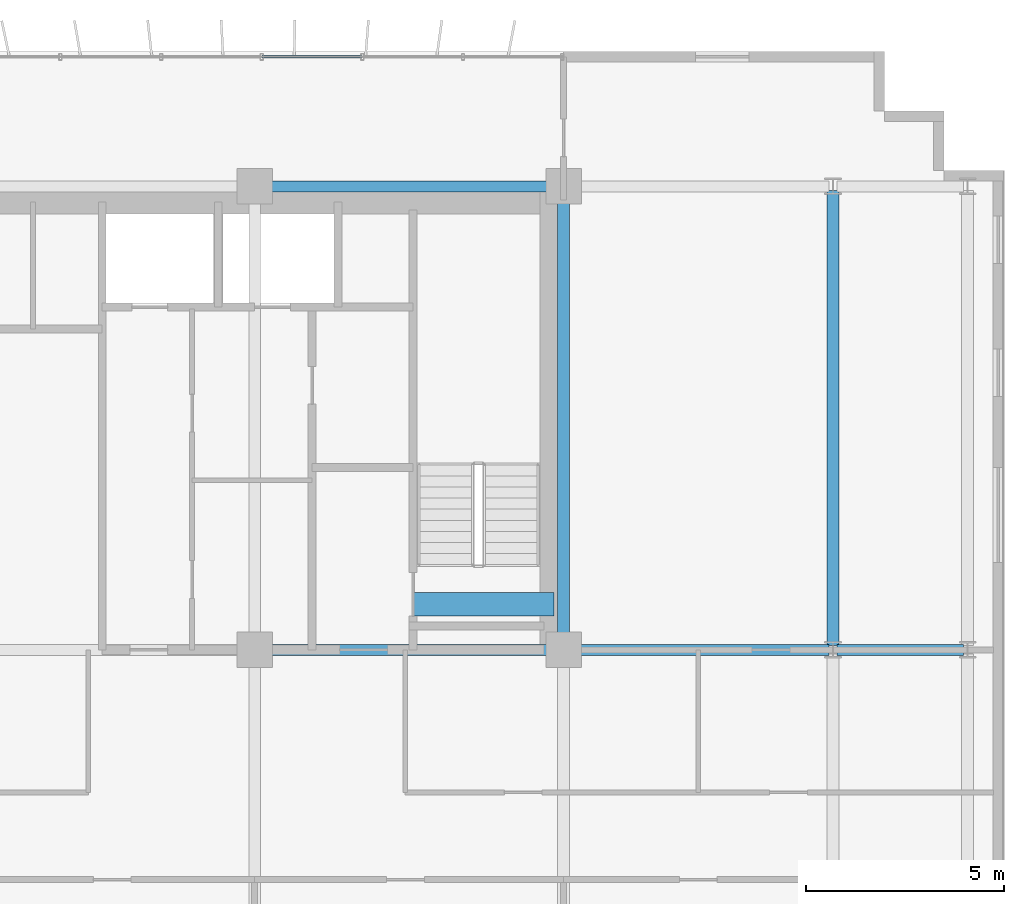
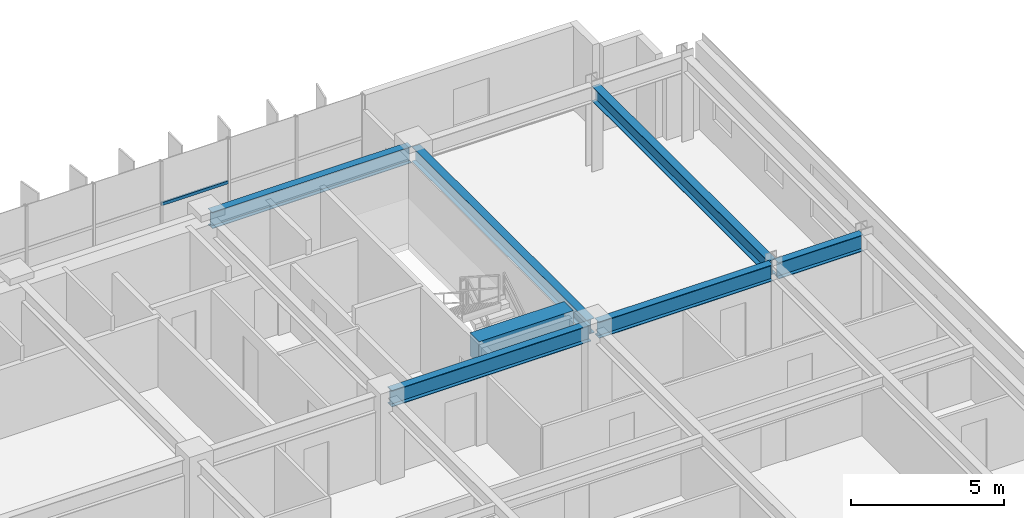
# One storey, part 11 of 21: 7 beams, 1 member, 1 element without a shape of its own.
"""IFC4 building model written with IfcOpenShell, lengths in metres."""

from ifc_helpers import new_model, si_unit, direction, frame, origin, origin_2d, place, context, subcontext, project, spatial, rectangle, hollow_rectangle, i_section, extrude, source, transform, mapped, material, material_profile, profile_set, type_object, element, aggregate, save


model = new_model("IFC4")

# Units and contexts
model_context = context("Model", 3, precision=1e-05, world=origin(), true_north=direction((0.0, 1.0)))
body_context = subcontext(model_context, "Body", "Model", "MODEL_VIEW")
ifc_project = project(units=[si_unit("LENGTHUNIT", "METRE"), si_unit("AREAUNIT", "SQUARE_METRE"), si_unit("VOLUMEUNIT", "CUBIC_METRE"), si_unit("PLANEANGLEUNIT", "RADIAN"), si_unit("MASSUNIT", "GRAM", prefix="KILO")], contexts=[model_context])

# Site, building, storey
site_placement = place(None, origin())
site = spatial("IfcSite", under=ifc_project, at=site_placement, CompositionType="ELEMENT")
building_placement = place(site_placement, origin())
building = spatial("IfcBuilding", under=site, at=building_placement, Name="Trelvane Seafront Commons", CompositionType="ELEMENT")
storey_placement = place(building_placement, frame((0.0, 0.0, 37.89990234375)))
storey = spatial("IfcBuildingStorey", under=building, at=storey_placement, Name="L09", CompositionType="ELEMENT", Elevation=37.89990234375)

# Beams
ifc_material_1 = material(Name="Concrete C60/75", Category="concrete")
ifc_material_profile_1 = material_profile(ifc_material_1, rectangle(XDim=0.60009765625, YDim=0.89990234375, at=origin_2d()), Name="RC-600x900")
ifc_profile_set_1 = profile_set([ifc_material_profile_1], Name="Concrete C60/75")
beam_type_1 = type_object("IfcBeamType", Name="STR-LNT-RC600x900", PredefinedType="LINTEL", material=ifc_profile_set_1)
shared_shape_1 = source(origin(), body_context, "Body", "SweptSolid", [
    extrude(rectangle(XDim=0.60009765625, YDim=0.89990234375, at=origin_2d()), origin(), (0.0, 0.0, 1.0), 3.550048828125),
])
beam_1_placement = place(storey_placement, frame((55.0, 34.550048828125, 2.89013671875), z_axis=(1.0, 0.0, 0.0), x_axis=(0.0, 1.0, 0.0)))
element("IfcBeam", 1, at=beam_1_placement, inside=storey, type_object=beam_type_1, Name="L09 Core Coupling Lintel Beam CB-86", PredefinedType="LINTEL", context=body_context, shape_type="MappedRepresentation", body=[
    mapped(shared_shape_1, transform((0.0, 0.0, 0.0), x_axis=(1.0, 0.0, 0.0), y_axis=(0.0, 1.0, 0.0), z_axis=(0.0, 0.0, 1.0), scale=1.0)),
])
ifc_material_2 = material(Name="Steel SM355 (S355)", Category="steel")
ifc_material_profile_2 = material_profile(ifc_material_2, i_section(OverallWidth=0.280029296875, OverallDepth=0.64990234375, WebThickness=0.012939453125, FlangeThickness=0.02197265625, at=origin_2d()), Name="H-650x280x13x22")
ifc_profile_set_2 = profile_set([ifc_material_profile_2], Name="Steel SM355 (S355)")
beam_type_2 = type_object("IfcBeamType", Name="STR-BM-H650", PredefinedType="BEAM", material=ifc_profile_set_2)
shared_shape_2 = source(origin(), body_context, "Body", "SweptSolid", [
    extrude(i_section(OverallWidth=0.280029296875, OverallDepth=0.64990234375, WebThickness=0.012939453125, FlangeThickness=0.02197265625, at=origin_2d()), origin(), (0.0, 0.0, 1.0), 3.18994140625),
])
beam_2_placement = place(storey_placement, frame((65.705078125, 33.39990234375, 3.01513671875), z_axis=(1.0, 0.0, 0.0), x_axis=(0.0, 1.0, 0.0)))
element("IfcBeam", 2, at=beam_2_placement, inside=storey, type_object=beam_type_2, Name="L09 Primary Girder G-27", PredefinedType="BEAM", context=body_context, shape_type="MappedRepresentation", body=[
    mapped(shared_shape_2, transform((0.0, 0.0, 0.0), x_axis=(1.0, 0.0, 0.0), y_axis=(0.0, 1.0, 0.0), z_axis=(0.0, 0.0, 1.0), scale=1.0)),
])
shared_shape_3 = source(origin(), body_context, "Body", "SweptSolid", [
    extrude(i_section(OverallWidth=0.280029296875, OverallDepth=0.64990234375, WebThickness=0.012939453125, FlangeThickness=0.02197265625, at=origin_2d()), origin(), (0.0, 0.0, 1.0), 6.545166015625),
])
beam_3_placement = place(storey_placement, frame((58.949951171875, 33.39990234375, 3.01513671875), z_axis=(1.0, 0.0, 0.0), x_axis=(0.0, 1.0, 0.0)))
element("IfcBeam", 3, at=beam_3_placement, inside=storey, type_object=beam_type_2, Name="L09 Primary Girder G-26", PredefinedType="BEAM", context=body_context, shape_type="MappedRepresentation", body=[
    mapped(shared_shape_3, transform((0.0, 0.0, 0.0), x_axis=(1.0, 0.0, 0.0), y_axis=(0.0, 1.0, 0.0), z_axis=(0.0, 0.0, 1.0), scale=1.0)),
])
shared_shape_4 = source(origin(), body_context, "Body", "SweptSolid", [
    extrude(i_section(OverallWidth=0.280029296875, OverallDepth=0.64990234375, WebThickness=0.012939453125, FlangeThickness=0.02197265625, at=origin_2d()), origin(), (0.0, 0.0, 1.0), 7.5),
])
for number, where, z_axis, x_axis, name in (
    (4, (51.14990234375, 33.39990234375, 3.01513671875), (1.0, 0.0, 0.0), (0.0, 1.0, 0.0), "L09 Primary Girder G-25"),
    (5, (51.14990234375, 45.10009765625, 3.01513671875), (1.0, 0.0, 0.0), (0.0, 1.0, 0.0), "L09 Primary Girder G-34"),
):
    element("IfcBeam", number, at=place(storey_placement, frame(where, z_axis=z_axis, x_axis=x_axis)), inside=storey, type_object=beam_type_2, Name=name, PredefinedType="BEAM", context=body_context, shape_type="MappedRepresentation", body=[
        mapped(shared_shape_4, transform((0.0, 0.0, 0.0), x_axis=(1.0, 0.0, 0.0), y_axis=(0.0, 1.0, 0.0), z_axis=(0.0, 0.0, 1.0), scale=1.0)),
    ])
ifc_material_profile_3 = material_profile(ifc_material_2, i_section(OverallWidth=0.300048828125, OverallDepth=0.587890625, WebThickness=0.011962890625, FlangeThickness=0.02001953125, at=origin_2d()), Name="H-588x300x12x20")
ifc_profile_set_3 = profile_set([ifc_material_profile_3], Name="Steel SM355 (S355)")
beam_type_3 = type_object("IfcBeamType", Name="STR-BM-H588", PredefinedType="BEAM", material=ifc_profile_set_3)
shared_shape_5 = source(origin(), body_context, "Body", "SweptSolid", [
    extrude(i_section(OverallWidth=0.300048828125, OverallDepth=0.587890625, WebThickness=0.011962890625, FlangeThickness=0.02001953125, at=origin_2d()), origin(), (0.0, 0.0, 1.0), 11.490234375),
])
beam_4_placement = place(storey_placement, frame((65.60009765625, 33.5048828125, 3.046142578125), z_axis=(0.0, 1.0, 0.0), x_axis=(-1.0, 0.0, 0.0)))
element("IfcBeam", 6, at=beam_4_placement, inside=storey, type_object=beam_type_3, Name="L09 Primary Girder G-63", PredefinedType="BEAM", context=body_context, shape_type="MappedRepresentation", body=[
    mapped(shared_shape_5, transform((0.0, 0.0, 0.0), x_axis=(1.0, 0.0, 0.0), y_axis=(0.0, 1.0, 0.0), z_axis=(0.0, 0.0, 1.0), scale=1.0)),
])
shared_shape_6 = source(origin(), body_context, "Body", "SweptSolid", [
    extrude(i_section(OverallWidth=0.300048828125, OverallDepth=0.587890625, WebThickness=0.011962890625, FlangeThickness=0.02001953125, at=origin_2d()), origin(), (0.0, 0.0, 1.0), 11.39990234375),
])
beam_5_placement = place(storey_placement, frame((58.800048828125, 33.550048828125, 3.046142578125), z_axis=(0.0, 1.0, 0.0), x_axis=(-1.0, 0.0, 0.0)))
element("IfcBeam", 7, at=beam_5_placement, inside=storey, type_object=beam_type_3, Name="L09 Primary Girder G-60", PredefinedType="BEAM", context=body_context, shape_type="MappedRepresentation", body=[
    mapped(shared_shape_6, transform((0.0, 0.0, 0.0), x_axis=(1.0, 0.0, 0.0), y_axis=(0.0, 1.0, 0.0), z_axis=(0.0, 0.0, 1.0), scale=1.0)),
])

# Curtain wall, member
ifc_material_3 = material(Name="Anodised pale-silver aluminium", Category="aluminium")
curtain_wall_type = type_object("IfcCurtainWallType", Name="ARCH-CW2-LOWTOWER", PredefinedType="NOTDEFINED", material=ifc_material_3)
curtain_wall_placement = place(storey_placement, origin())
curtain_wall = element("IfcCurtainWall", 8, at=curtain_wall_placement, inside=storey, type_object=curtain_wall_type, Name="CW-L09-0033", PredefinedType="NOTDEFINED")
ifc_material_profile_4 = material_profile(ifc_material_3, hollow_rectangle(XDim=0.070068359375, YDim=0.1201171875, WallThickness=0.00390625, at=origin_2d()), Name="TRAN-70x120x4")
ifc_profile_set_4 = profile_set([ifc_material_profile_4], Name="Anodised pale-silver aluminium")
member_type = type_object("IfcMemberType", Name="ARCH-CW-TRAN-120", PredefinedType="USERDEFINED", material=ifc_profile_set_4)
shared_shape_7 = source(origin(), body_context, "Body", "SweptSolid", [
    extrude(hollow_rectangle(XDim=0.070068359375, YDim=0.1201171875, WallThickness=0.00390625, at=origin_2d()), origin(), (0.0, 0.0, 1.0), 2.51708984375),
])
member_placement = place(storey_placement, frame((51.1884765625, 48.3701171875, 1.60302734375), z_axis=(1.0, 0.0, 0.0), x_axis=(0.0, 1.0, 0.0)))
member = element("IfcMember", 9, at=member_placement, type_object=member_type, Name="CW-L09-0033-T14", ObjectType="TRANSOM", PredefinedType="USERDEFINED", context=body_context, shape_type="MappedRepresentation", body=[
    mapped(shared_shape_7, transform((0.0, 0.0, 0.0), x_axis=(1.0, 0.0, 0.0), y_axis=(0.0, 1.0, 0.0), z_axis=(0.0, 0.0, 1.0), scale=1.0)),
])
aggregate(curtain_wall, [member])

save(model, "model.ifc")
